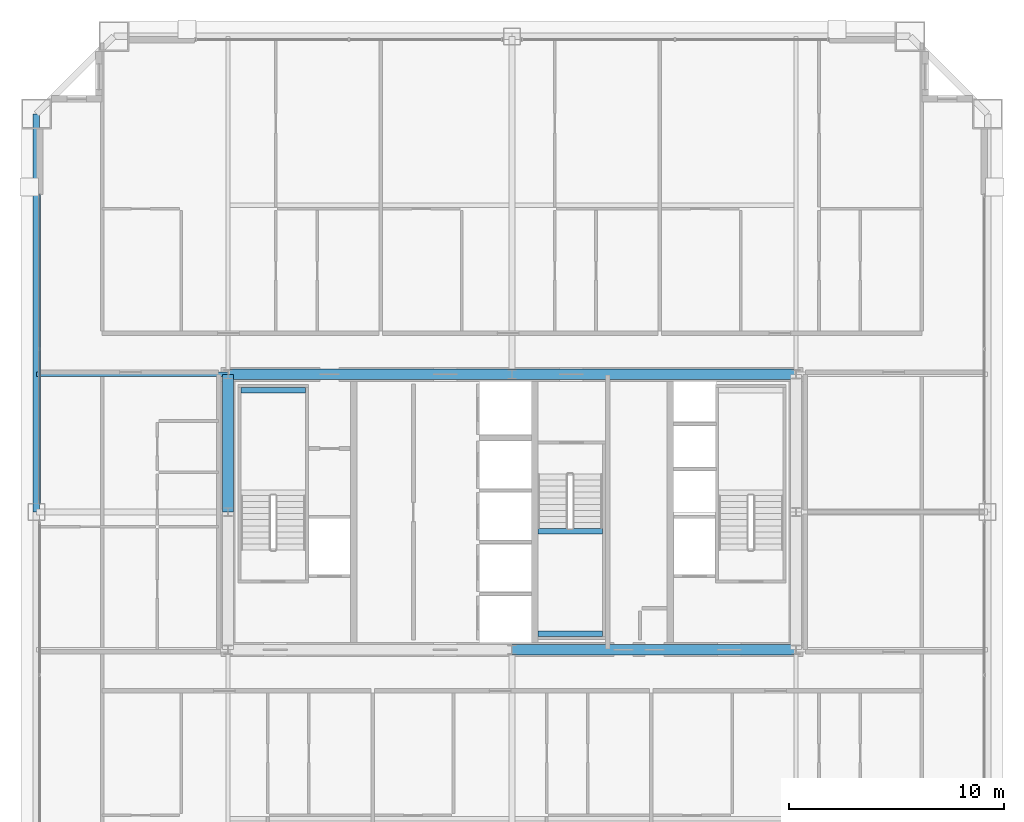
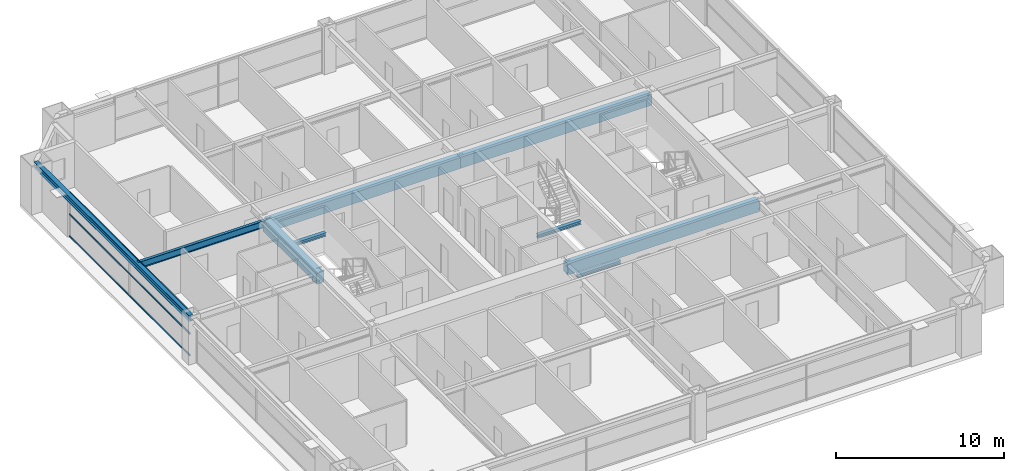
# One storey, part 15 of 38: 9 beams, 3 members, 1 element without a shape of its own.
"""IFC4 building model written with IfcOpenShell, lengths in metres."""

from ifc_helpers import new_model, si_unit, direction, frame, origin, origin_2d, place, context, subcontext, project, spatial, rectangle, hollow_rectangle, i_section, extrude, source, transform, mapped, material, layer, layer_set, material_profile, profile_set, type_object, element, aggregate, save


model = new_model("IFC4")

# Units and contexts
model_context = context("Model", 3, precision=1e-05, world=origin(), true_north=direction((0.0, 1.0)))
body_context = subcontext(model_context, "Body", "Model", "MODEL_VIEW")
ifc_project = project(units=[si_unit("LENGTHUNIT", "METRE"), si_unit("AREAUNIT", "SQUARE_METRE"), si_unit("VOLUMEUNIT", "CUBIC_METRE"), si_unit("PLANEANGLEUNIT", "RADIAN"), si_unit("MASSUNIT", "GRAM", prefix="KILO"), si_unit("THERMODYNAMICTEMPERATUREUNIT", "KELVIN"), si_unit("POWERUNIT", "WATT")], contexts=[model_context])

# Site, building, storey
site_placement = place(None, origin())
site = spatial("IfcSite", under=ifc_project, at=site_placement, CompositionType="ELEMENT")
building_placement = place(site_placement, origin())
building = spatial("IfcBuilding", under=site, at=building_placement, Name="Yuzanri Waterfront Tower", CompositionType="ELEMENT")
storey_placement = place(building_placement, frame((0.0, 0.0, 202.0)))
storey = spatial("IfcBuildingStorey", under=building, at=storey_placement, Name="L53", CompositionType="ELEMENT", Elevation=202.0)

# Beams
ifc_material_1 = material(Name="Steel Q355B", Category="steel")
ifc_material_profile_1 = material_profile(ifc_material_1, i_section(OverallWidth=0.300048828125, OverallDepth=0.43994140625, WebThickness=0.010986328125, FlangeThickness=0.01806640625, at=origin_2d()), Name="HM 440x300x11x18")
ifc_profile_set_1 = profile_set([ifc_material_profile_1], Name="Steel Q355B")
beam_type_1 = type_object("IfcBeamType", Name="Perimeter Spandrel Q355B HM 440x300", PredefinedType="SPANDREL", material=ifc_profile_set_1)
shared_shape_1 = source(origin(), body_context, "Body", "SweptSolid", [
    extrude(i_section(OverallWidth=0.300048828125, OverallDepth=0.43994140625, WebThickness=0.010986328125, FlangeThickness=0.01806640625, at=origin_2d()), origin(), (0.0, 0.0, 1.0), 18.5),
])
beam_1_placement = place(storey_placement, frame((14.89990234375, 44.300048828125, 3.06005859375), z_axis=(0.0, -1.0, 0.0), x_axis=(1.0, 0.0, 0.0)))
element("IfcBeam", 1, at=beam_1_placement, inside=storey, type_object=beam_type_1, Name="L53 Perimeter Spandrel W3-W2", PredefinedType="SPANDREL", context=body_context, shape_type="MappedRepresentation", body=[
    mapped(shared_shape_1, transform((0.0, 0.0, 0.0), scale=1.0)),
])
ifc_material_2 = material(Name="Steel Q355B", Category="steel")
ifc_material_profile_2 = material_profile(ifc_material_2, i_section(OverallWidth=0.199951171875, OverallDepth=0.5, WebThickness=0.010009765625, FlangeThickness=0.01611328125, at=origin_2d()), Name="HN 500x200x10x16")
ifc_profile_set_2 = profile_set([ifc_material_profile_2], Name="Steel Q355B")
beam_type_2 = type_object("IfcBeamType", Name="Secondary Floor Beam Q355B HN 500x200", PredefinedType="BEAM", material=ifc_profile_set_2)
shared_shape_2 = source(origin(), body_context, "Body", "SweptSolid", [
    extrude(i_section(OverallWidth=0.199951171875, OverallDepth=0.5, WebThickness=0.010009765625, FlangeThickness=0.01611328125, at=origin_2d()), origin(), (0.0, 0.0, 1.0), 8.900146484375),
])
beam_2_placement = place(storey_placement, frame((23.800048828125, 32.199951171875, 3.030029296875), z_axis=(-1.0, 0.0, 0.0), x_axis=(0.0, -1.0, 0.0)))
element("IfcBeam", 2, at=beam_2_placement, inside=storey, type_object=beam_type_2, Name="L53 West-North Core Line Beam", PredefinedType="BEAM", context=body_context, shape_type="MappedRepresentation", body=[
    mapped(shared_shape_2, transform((0.0, 0.0, 0.0), scale=1.0)),
])
ifc_material_3 = material(Name="Concrete C50", Category="concrete")
ifc_material_profile_3 = material_profile(ifc_material_3, rectangle(XDim=0.5, YDim=0.800048828125, at=origin_2d()), Name="RC 500x800")
ifc_profile_set_3 = profile_set([ifc_material_profile_3], Name="Concrete C50")
beam_type_3 = type_object("IfcBeamType", Name="Core Coupling Lintel Concrete C50 500x800", PredefinedType="LINTEL", material=ifc_profile_set_3)
shared_shape_3 = source(origin(), body_context, "Body", "SweptSolid", [
    extrude(rectangle(XDim=0.5, YDim=0.800048828125, at=origin_2d()), origin(), (0.0, 0.0, 1.0), 13.199951171875),
])
for number, where, z_axis, x_axis, name in (
    (3, (37.0, 19.39990234375, 2.8798828125), (1.0, 0.0, 0.0), (0.0, 1.0, 0.0), "L53 Core Tie Beam CS2"),
    (4, (23.800048828125, 32.199951171875, 2.8798828125), (1.0, 0.0, 0.0), (0.0, 1.0, 0.0), "L53 Core Tie Beam CN1"),
    (5, (37.0, 32.199951171875, 2.8798828125), (1.0, 0.0, 0.0), (0.0, 1.0, 0.0), "L53 Core Tie Beam CN2"),
):
    element("IfcBeam", number, at=place(storey_placement, frame(where, z_axis=z_axis, x_axis=x_axis)), inside=storey, type_object=beam_type_3, Name=name, PredefinedType="LINTEL", context=body_context, shape_type="MappedRepresentation", body=[
        mapped(shared_shape_3, transform((0.0, 0.0, 0.0), scale=1.0)),
    ])
shared_shape_4 = source(origin(), body_context, "Body", "SweptSolid", [
    extrude(rectangle(XDim=0.5, YDim=0.800048828125, at=origin_2d()), origin(), (0.0, 0.0, 1.0), 6.39990234375),
])
beam_3_placement = place(storey_placement, frame((23.800048828125, 25.800048828125, 2.8798828125), z_axis=(0.0, 1.0, 0.0), x_axis=(-1.0, 0.0, 0.0)))
element("IfcBeam", 6, at=beam_3_placement, inside=storey, type_object=beam_type_3, Name="L53 Core Tie Beam CW2", PredefinedType="LINTEL", context=body_context, shape_type="MappedRepresentation", body=[
    mapped(shared_shape_4, transform((0.0, 0.0, 0.0), scale=1.0)),
])

# Curtain wall, members
ifc_material_4 = material(Name="Anodized Architectural Bronze", Category="metal")
ifc_layer = layer(ifc_material_4, 0.159912109375)
ifc_layer_set = layer_set([ifc_layer], Name="Anodized Architectural Bronze")
curtain_wall_type = type_object("IfcCurtainWallType", Name="Anodized Bronze Mid-Rise Residential Acoustic Unitized Curtain Wall 7200", PredefinedType="NOTDEFINED", material=ifc_layer_set)
curtain_wall_placement = place(storey_placement, origin())
curtain_wall = element("IfcCurtainWall", 7, at=curtain_wall_placement, inside=storey, type_object=curtain_wall_type, Name="L53 Curtain Wall CW-L53-WR", PredefinedType="NOTDEFINED")
ifc_material_5 = material(Name="Anodized Architectural Bronze", Category="metal")
ifc_material_profile_4 = material_profile(ifc_material_5, hollow_rectangle(XDim=0.06494140625, YDim=0.1201171875, WallThickness=0.00341796875, at=origin_2d()), Name="CWT 65x120")
ifc_profile_set_4 = profile_set([ifc_material_profile_4], Name="Anodized Architectural Bronze")
member_type = type_object("IfcMemberType", Name="Anodized Bronze Secondary Curtain-Wall Transom 65x120", PredefinedType="USERDEFINED", material=ifc_profile_set_4)
shared_shape_5 = source(origin(), body_context, "Body", "SweptSolid", [
    extrude(hollow_rectangle(XDim=0.06494140625, YDim=0.1201171875, WallThickness=0.00341796875, at=origin_2d()), origin(), (0.0, 0.0, 1.0), 14.35009765625),
])
member_1_placement = place(storey_placement, frame((15.050048828125, 26.199951171875, 0.050048828125), z_axis=(0.0, 1.0, 0.0), x_axis=(-1.0, 0.0, 0.0)))
member_1 = element("IfcMember", 8, at=member_1_placement, type_object=member_type, Name="CW-L53-WR Transom 1", ObjectType="TRANSOM", PredefinedType="USERDEFINED", context=body_context, shape_type="MappedRepresentation", body=[
    mapped(shared_shape_5, transform((0.0, 0.0, 0.0), scale=1.0)),
])
member_2_placement = place(storey_placement, frame((15.050048828125, 26.199951171875, 1.639892578125), z_axis=(0.0, 1.0, 0.0), x_axis=(-1.0, 0.0, 0.0)))
member_2 = element("IfcMember", 9, at=member_2_placement, type_object=member_type, Name="CW-L53-WR Transom 2", ObjectType="TRANSOM", PredefinedType="USERDEFINED", context=body_context, shape_type="MappedRepresentation", body=[
    mapped(shared_shape_5, transform((0.0, 0.0, 0.0), scale=1.0)),
])
member_3_placement = place(storey_placement, frame((15.050048828125, 26.199951171875, 3.22998046875), z_axis=(0.0, 1.0, 0.0), x_axis=(-1.0, 0.0, 0.0)))
member_3 = element("IfcMember", 10, at=member_3_placement, type_object=member_type, Name="CW-L53-WR Transom 3", ObjectType="TRANSOM", PredefinedType="USERDEFINED", context=body_context, shape_type="MappedRepresentation", body=[
    mapped(shared_shape_5, transform((0.0, 0.0, 0.0), scale=1.0)),
])
aggregate(curtain_wall, [member_1, member_2, member_3])

# Beams
ifc_material_6 = material(Name="Steel Q355B", Category="steel")
ifc_material_profile_5 = material_profile(ifc_material_6, i_section(OverallWidth=0.25, OverallDepth=0.25, WebThickness=0.009033203125, FlangeThickness=0.013916015625, at=origin_2d()), Name="HW 250x250x9x14")
ifc_profile_set_5 = profile_set([ifc_material_profile_5], Name="Steel Q355B")
beam_type_4 = type_object("IfcBeamType", Name="Stair Landing Support Beam Q355B HW 250x250", PredefinedType="BEAM", material=ifc_profile_set_5)
shared_shape_6 = source(origin(), body_context, "Body", "SweptSolid", [
    extrude(i_section(OverallWidth=0.25, OverallDepth=0.25, WebThickness=0.009033203125, FlangeThickness=0.013916015625, at=origin_2d()), origin(), (0.0, 0.0, 1.0), 3.0),
])
for number, where, z_axis, x_axis, name in (
    (11, (24.39990234375, 31.449951171875, 1.425048828125), (1.0, 0.0, 0.0), (0.0, 1.0, 0.0), "L53 Stair Landing Support Beam ST-01-L53-L1-2"),
    (12, (38.199951171875, 20.14990234375, 1.425048828125), (1.0, 0.0, 0.0), (0.0, 1.0, 0.0), "L53 Stair Landing Support Beam ST-03-L53-L1-1"),
    (13, (38.199951171875, 24.909912109375, 1.425048828125), (1.0, 0.0, 0.0), (0.0, 1.0, 0.0), "L53 Stair Landing Support Beam ST-03-L53-L1-2"),
):
    element("IfcBeam", number, at=place(storey_placement, frame(where, z_axis=z_axis, x_axis=x_axis)), inside=storey, type_object=beam_type_4, Name=name, PredefinedType="BEAM", context=body_context, shape_type="MappedRepresentation", body=[
        mapped(shared_shape_6, transform((0.0, 0.0, 0.0), scale=1.0)),
    ])

save(model, "model.ifc")
